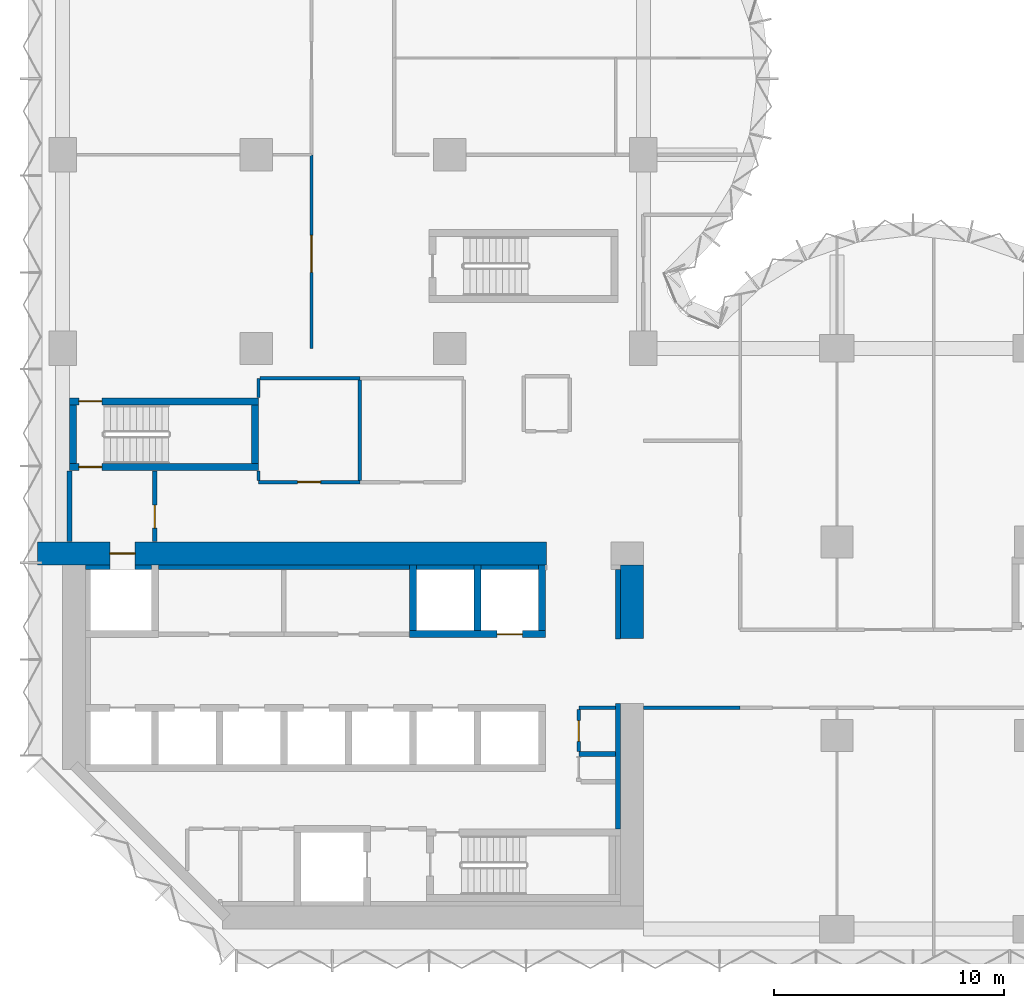
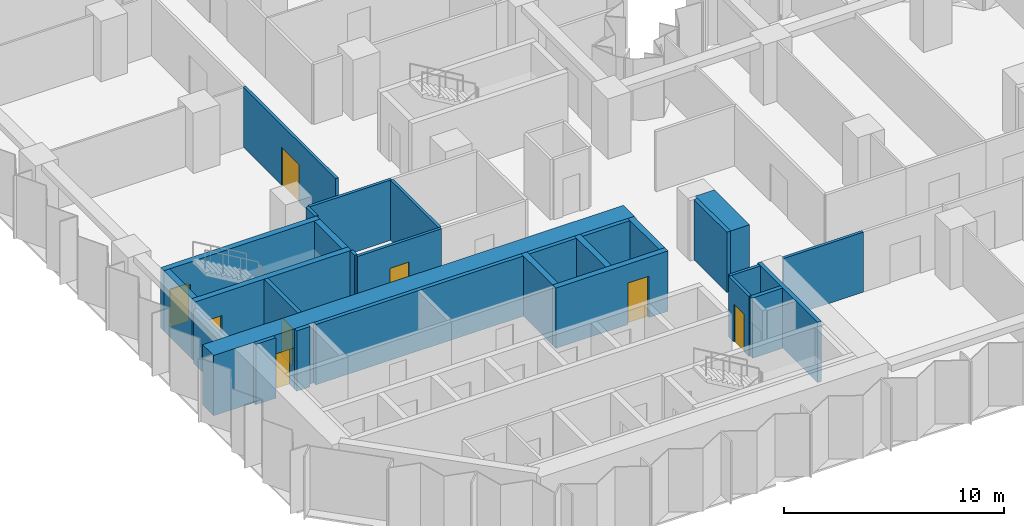
# One storey, part 8 of 15: 29 walls, 8 doors, 8 openings.
"""IFC4 building model written with IfcOpenShell, lengths in metres."""

from ifc_helpers import new_model, si_unit, direction, frame, frame_2d, origin, place, context, subcontext, project, spatial, rectangle, extrude, material, layer, layer_set, type_object, element, fill, save


model = new_model("IFC4")

# Units and contexts
model_context = context("Model", 3, precision=1e-05, world=origin(), true_north=direction((0.0, 1.0)))
body_context = subcontext(model_context, "Body", "Model", "MODEL_VIEW")
ifc_project = project(units=[si_unit("LENGTHUNIT", "METRE"), si_unit("AREAUNIT", "SQUARE_METRE"), si_unit("VOLUMEUNIT", "CUBIC_METRE"), si_unit("PLANEANGLEUNIT", "RADIAN"), si_unit("MASSUNIT", "GRAM", prefix="KILO")], contexts=[model_context])

# Site, building, storey
site_placement = place(None, origin())
site = spatial("IfcSite", under=ifc_project, at=site_placement, CompositionType="ELEMENT")
building_placement = place(site_placement, origin())
building = spatial("IfcBuilding", under=site, at=building_placement, Name="Brevane Broadcast Tower", CompositionType="ELEMENT")
storey_placement = place(building_placement, frame((0.0, 0.0, 68.89990234375)))
storey = spatial("IfcBuildingStorey", under=building, at=storey_placement, Name="L15", CompositionType="ELEMENT", Elevation=68.89990234375)

# Walls
ifc_material_1 = material(Name="Concrete C32/40", Category="concrete")
ifc_layer_1 = layer(ifc_material_1, 0.199951171875)
ifc_layer_set_1 = layer_set([ifc_layer_1], Name="Core chase wall 200 mm")
wall_type_1 = type_object("IfcWallType", Name="Core chase wall 200 mm", PredefinedType="PARTITIONING", material=ifc_layer_set_1)
wall_1_placement = place(storey_placement, frame((24.10009765625, 12.60009765625, 0.0), z_axis=(0.0, 0.0, 1.0), x_axis=(0.0, 1.0, 0.0)))
element("IfcWall", 1, at=wall_1_placement, inside=storey, type_object=wall_type_1, Name="L15 chase wall LE2", PredefinedType="PARTITIONING", context=body_context, shape_type="SweptSolid", body=[
    extrude(rectangle(XDim=3.0, YDim=0.199951171875, at=frame_2d((1.5, 0.0))), origin(), (0.0, 0.0, 1.0), 3.35009765625),
])
wall_2_placement = place(storey_placement, frame((1.0, 15.699951171875, 0.0), z_axis=(0.0, 0.0, 1.0), x_axis=(1.0, 0.0, 0.0)))
element("IfcWall", 2, at=wall_2_placement, inside=storey, type_object=wall_type_1, Name="L15 chase wall LN0", PredefinedType="PARTITIONING", context=body_context, shape_type="SweptSolid", body=[
    extrude(rectangle(XDim=1.050048828125, YDim=0.199951171875, at=frame_2d((0.52490234375, 0.0))), origin(), (0.0, 0.0, 1.0), 3.35009765625),
])
wall_3_placement = place(storey_placement, frame((3.14990234375, 15.699951171875, 0.0), z_axis=(0.0, 0.0, 1.0), x_axis=(1.0, 0.0, 0.0)))
element("IfcWall", 3, at=wall_3_placement, inside=storey, type_object=wall_type_1, Name="L15 chase wall LN1-1", PredefinedType="PARTITIONING", context=body_context, shape_type="SweptSolid", body=[
    extrude(rectangle(XDim=0.7001953125, YDim=0.199951171875, at=frame_2d((0.35009765625, 0.0))), origin(), (0.0, 0.0, 1.0), 3.35009765625),
])
wall_4_placement = place(storey_placement, frame((4.14990234375, 15.699951171875, 0.0), z_axis=(0.0, 0.0, 1.0), x_axis=(1.0, 0.0, 0.0)))
element("IfcWall", 4, at=wall_4_placement, inside=storey, type_object=wall_type_1, Name="L15 chase wall LN1-2-1", PredefinedType="PARTITIONING", context=body_context, shape_type="SweptSolid", body=[
    extrude(rectangle(XDim=10.900146484375, YDim=0.199951171875, at=frame_2d((5.4501953125, 0.0))), origin(), (0.0, 0.0, 1.0), 3.35009765625),
])
for number, where, z_axis, x_axis, name in (
    (5, (15.35009765625, 15.699951171875, 0.0), (0.0, 0.0, 1.0), (1.0, 0.0, 0.0), "L15 chase wall LN1-2-2-1"),
    (6, (18.14990234375, 15.699951171875, 0.0), (0.0, 0.0, 1.0), (1.0, 0.0, 0.0), "L15 chase wall LN1-2-2-2-1"),
):
    element("IfcWall", number, at=place(storey_placement, frame(where, z_axis=z_axis, x_axis=x_axis)), inside=storey, type_object=wall_type_1, Name=name, PredefinedType="PARTITIONING", context=body_context, shape_type="SweptSolid", body=[
        extrude(rectangle(XDim=2.5, YDim=0.199951171875, at=frame_2d((1.25, 0.0))), origin(), (0.0, 0.0, 1.0), 3.35009765625),
    ])
wall_5_placement = place(storey_placement, frame((24.10009765625, 4.35009765625, 0.0), z_axis=(0.0, 0.0, 1.0), x_axis=(0.0, 1.0, 0.0)))
element("IfcWall", 7, at=wall_5_placement, inside=storey, type_object=wall_type_1, Name="L15 chase wall LE1-2-2", PredefinedType="PARTITIONING", context=body_context, shape_type="SweptSolid", body=[
    extrude(rectangle(XDim=5.449951171875, YDim=0.199951171875, at=frame_2d((2.72509765625, 0.0))), origin(), (0.0, 0.0, 1.0), 3.35009765625),
])

# Wall, opening, door
ifc_material_2 = material(Name="Gypsum board on steel studs", Category="steel")
ifc_layer_2 = layer(ifc_material_2, 0.14990234375)
ifc_layer_set_2 = layer_set([ifc_layer_2], Name="Core fire partition 150 mm")
wall_type_2 = type_object("IfcWallType", Name="Core fire partition 150 mm", PredefinedType="PARTITIONING", material=ifc_layer_set_2)
wall_6_placement = place(storey_placement, frame((12.89990234375, 19.39990234375, 0.0), z_axis=(0.0, 0.0, 1.0), x_axis=(-1.0, 0.0, 0.0)))
wall_6 = element("IfcWall", 8, at=wall_6_placement, inside=storey, type_object=wall_type_2, Name="L15 partition wall P15", PredefinedType="PARTITIONING", context=body_context, shape_type="SweptSolid", body=[
    extrude(rectangle(XDim=4.39990234375, YDim=0.14990234375, at=frame_2d((2.199951171875, 0.0))), origin(), (0.0, 0.0, 1.0), 3.35009765625),
])
opening_1_placement = place(wall_6_placement, frame((1.699951171875, 0.0, 0.0)))
opening_1 = element("IfcOpeningElement", 9, at=opening_1_placement, cuts=wall_6, Name="Opening L15-K25", PredefinedType="OPENING", context=body_context, shape_type="SweptSolid", body=[
    extrude(rectangle(XDim=1.0, YDim=2.10009765625, at=frame_2d((0.5, 1.050048828125))), frame((0.0, 0.0849609375, 0.0), z_axis=(0.0, -1.0, 0.0), x_axis=(1.0, 0.0, 0.0)), (0.0, 0.0, 1.0), 0.169921875),
])
ifc_material_3 = material(Name="Steel", Category="steel")
door_type_1 = type_object("IfcDoorType", Name="Service room door 1000 x 2100", OperationType="SINGLE_SWING_LEFT", PredefinedType="DOOR", material=ifc_material_3)
door_1_placement = place(opening_1_placement, origin())
door_1 = element("IfcDoor", 10, at=door_1_placement, inside=storey, type_object=door_type_1, Name="Door L15-K25", OperationType="SINGLE_SWING_LEFT", OverallHeight=2.10009765625, OverallWidth=1.0, PredefinedType="DOOR", context=body_context, shape_type="SweptSolid", body=[
    extrude(rectangle(XDim=1.0, YDim=2.10009765625, at=frame_2d((0.5, 1.050048828125))), frame((0.0, 0.02490234375, 0.0), z_axis=(0.0, -1.0, 0.0), x_axis=(1.0, 0.0, 0.0)), (0.0, 0.0, 1.0), 0.050048828125),
])
fill(opening_1, door_1)

# Walls
wall_7_placement = place(storey_placement, frame((8.5, 19.47509765625, 0.0), z_axis=(0.0, 0.0, 1.0), x_axis=(0.0, 1.0, 0.0)))
element("IfcWall", 11, at=wall_7_placement, inside=storey, type_object=wall_type_2, Name="L15 partition wall P16", PredefinedType="PARTITIONING", context=body_context, shape_type="SweptSolid", body=[
    extrude(rectangle(XDim=0.412841796875, YDim=0.14990234375, at=frame_2d((0.20654296875, 0.0))), origin(), (0.0, 0.0, 1.0), 3.35009765625),
])
wall_8_placement = place(storey_placement, frame((8.5, 23.06201171875, 0.0), z_axis=(0.0, 0.0, 1.0), x_axis=(0.0, 1.0, 0.0)))
element("IfcWall", 12, at=wall_8_placement, inside=storey, type_object=wall_type_2, Name="L15 partition wall P17", PredefinedType="PARTITIONING", context=body_context, shape_type="SweptSolid", body=[
    extrude(rectangle(XDim=0.837890625, YDim=0.14990234375, at=frame_2d((0.4189453125, 0.0))), origin(), (0.0, 0.0, 1.0), 3.35009765625),
])
wall_9_placement = place(storey_placement, frame((8.574951171875, 23.89990234375, 0.0), z_axis=(0.0, 0.0, 1.0), x_axis=(1.0, 0.0, 0.0)))
element("IfcWall", 13, at=wall_9_placement, inside=storey, type_object=wall_type_2, Name="L15 partition wall P18", PredefinedType="PARTITIONING", context=body_context, shape_type="SweptSolid", body=[
    extrude(rectangle(XDim=4.324951171875, YDim=0.14990234375, at=frame_2d((2.16259765625, 0.0))), origin(), (0.0, 0.0, 1.0), 3.35009765625),
])
wall_10_placement = place(storey_placement, frame((12.89990234375, 23.824951171875, 0.0), z_axis=(0.0, 0.0, 1.0), x_axis=(0.0, -1.0, 0.0)))
element("IfcWall", 14, at=wall_10_placement, inside=storey, type_object=wall_type_2, Name="L15 partition wall P22", PredefinedType="PARTITIONING", context=body_context, shape_type="SweptSolid", body=[
    extrude(rectangle(XDim=4.349853515625, YDim=0.14990234375, at=frame_2d((2.1748046875, 0.0))), origin(), (0.0, 0.0, 1.0), 3.35009765625),
])
wall_11_placement = place(storey_placement, frame((23.988037109375, 9.60009765625, 0.0), z_axis=(0.0, 0.0, 1.0), x_axis=(-1.0, 0.0, 0.0)))
element("IfcWall", 15, at=wall_11_placement, inside=storey, type_object=wall_type_2, Name="L15 partition wall P23", PredefinedType="PARTITIONING", context=body_context, shape_type="SweptSolid", body=[
    extrude(rectangle(XDim=1.588134765625, YDim=0.14990234375, at=frame_2d((0.7939453125, 0.0))), origin(), (0.0, 0.0, 1.0), 3.35009765625),
])

# Wall, opening, door
wall_12_placement = place(storey_placement, frame((22.39990234375, 9.52490234375, 0.0), z_axis=(0.0, 0.0, 1.0), x_axis=(0.0, -1.0, 0.0)))
wall_12 = element("IfcWall", 16, at=wall_12_placement, inside=storey, type_object=wall_type_2, Name="L15 partition wall P24", PredefinedType="PARTITIONING", context=body_context, shape_type="SweptSolid", body=[
    extrude(rectangle(XDim=1.824951171875, YDim=0.14990234375, at=frame_2d((0.91259765625, 0.0))), origin(), (0.0, 0.0, 1.0), 3.35009765625),
])
opening_2_placement = place(wall_12_placement, frame((0.47509765625, 0.0, 0.0)))
opening_2 = element("IfcOpeningElement", 17, at=opening_2_placement, cuts=wall_12, Name="Opening L15-K20", PredefinedType="OPENING", context=body_context, shape_type="SweptSolid", body=[
    extrude(rectangle(XDim=0.89990234375, YDim=2.10009765625, at=frame_2d((0.449951171875, 1.050048828125))), frame((0.0, 0.0849609375, 0.0), z_axis=(0.0, -1.0, 0.0), x_axis=(1.0, 0.0, 0.0)), (0.0, 0.0, 1.0), 0.169921875),
])
door_type_2 = type_object("IfcDoorType", Name="Service room door 900 x 2100", OperationType="SINGLE_SWING_LEFT", PredefinedType="DOOR", material=ifc_material_3)
door_2_placement = place(opening_2_placement, origin())
door_2 = element("IfcDoor", 18, at=door_2_placement, inside=storey, type_object=door_type_2, Name="Door L15-K20", OperationType="SINGLE_SWING_RIGHT", OverallHeight=2.10009765625, OverallWidth=0.89990234375, PredefinedType="DOOR", context=body_context, shape_type="SweptSolid", body=[
    extrude(rectangle(XDim=0.89990234375, YDim=2.10009765625, at=frame_2d((0.449951171875, 1.050048828125))), frame((0.0, 0.02490234375, 0.0), z_axis=(0.0, -1.0, 0.0), x_axis=(1.0, 0.0, 0.0)), (0.0, 0.0, 1.0), 0.050048828125),
])
fill(opening_2, door_2)

# Wall
ifc_layer_3 = layer(ifc_material_2, 0.199951171875)
ifc_layer_set_3 = layer_set([ifc_layer_3], Name="Core fire partition 200 mm")
wall_type_3 = type_object("IfcWallType", Name="Core fire partition 200 mm", PredefinedType="PARTITIONING", material=ifc_layer_set_3)
wall_13_placement = place(storey_placement, frame((0.300048828125, 16.81201171875, 0.0), z_axis=(0.0, 0.0, 1.0), x_axis=(0.0, 1.0, 0.0)))
element("IfcWall", 19, at=wall_13_placement, inside=storey, type_object=wall_type_3, Name="L15 partition wall P01", PredefinedType="PARTITIONING", context=body_context, shape_type="SweptSolid", body=[
    extrude(rectangle(XDim=3.075927734375, YDim=0.199951171875, at=frame_2d((1.5380859375, 0.0))), origin(), (0.0, 0.0, 1.0), 2.97998046875),
])

# Wall, opening, door
wall_14_placement = place(storey_placement, frame((4.0, 19.887939453125, 0.0), z_axis=(0.0, 0.0, 1.0), x_axis=(0.0, -1.0, 0.0)))
wall_14 = element("IfcWall", 20, at=wall_14_placement, inside=storey, type_object=wall_type_3, Name="L15 partition wall P02", PredefinedType="PARTITIONING", context=body_context, shape_type="SweptSolid", body=[
    extrude(rectangle(XDim=3.075927734375, YDim=0.199951171875, at=frame_2d((1.5380859375, 0.0))), origin(), (0.0, 0.0, 1.0), 3.35009765625),
])
opening_3_placement = place(wall_14_placement, frame((1.488037109375, 0.0, 0.0)))
opening_3 = element("IfcOpeningElement", 21, at=opening_3_placement, cuts=wall_14, Name="Opening L15-K23", PredefinedType="OPENING", context=body_context, shape_type="SweptSolid", body=[
    extrude(rectangle(XDim=1.0, YDim=2.10009765625, at=frame_2d((0.5, 1.050048828125))), frame((0.0, 0.10986328125, 0.0), z_axis=(0.0, -1.0, 0.0), x_axis=(1.0, 0.0, 0.0)), (0.0, 0.0, 1.0), 0.219970703125),
])
door_type_3 = type_object("IfcDoorType", Name="Stair door 1000 x 2100", OperationType="SINGLE_SWING_LEFT", PredefinedType="DOOR", material=ifc_material_3)
door_3_placement = place(opening_3_placement, origin())
door_3 = element("IfcDoor", 22, at=door_3_placement, inside=storey, type_object=door_type_3, Name="Door L15-K23", OperationType="SINGLE_SWING_LEFT", OverallHeight=2.10009765625, OverallWidth=1.0, PredefinedType="DOOR", context=body_context, shape_type="SweptSolid", body=[
    extrude(rectangle(XDim=1.0, YDim=2.10009765625, at=frame_2d((0.5, 1.050048828125))), frame((0.0, 0.02490234375, 0.0), z_axis=(0.0, -1.0, 0.0), x_axis=(1.0, 0.0, 0.0)), (0.0, 0.0, 1.0), 0.050048828125),
])
fill(opening_3, door_3)

# Wall
wall_15_placement = place(storey_placement, frame((23.988037109375, 7.60009765625, 0.0), z_axis=(0.0, 0.0, 1.0), x_axis=(-1.0, 0.0, 0.0)))
element("IfcWall", 23, at=wall_15_placement, inside=storey, type_object=wall_type_3, Name="L15 partition wall P07", PredefinedType="PARTITIONING", context=body_context, shape_type="SweptSolid", body=[
    extrude(rectangle(XDim=1.588134765625, YDim=0.199951171875, at=frame_2d((0.7939453125, 0.0))), origin(), (0.0, 0.0, 1.0), 3.35009765625),
])

# Wall, opening, door
ifc_material_4 = material(Name="Concrete C80/95", Category="concrete")
ifc_layer_4 = layer(ifc_material_4, 1.0)
ifc_layer_set_4 = layer_set([ifc_layer_4], Name="Core wall 1000 mm C80/95")
wall_type_4 = type_object("IfcWallType", Name="Core wall 1000 mm C80/95", PredefinedType="SHEAR", material=ifc_layer_set_4)
wall_16_placement = place(storey_placement, frame((-1.10009765625, 16.300048828125, 0.0), z_axis=(0.0, 0.0, 1.0), x_axis=(1.0, 0.0, 0.0)))
wall_16 = element("IfcWall", 24, at=wall_16_placement, inside=storey, type_object=wall_type_4, Name="L15 outer wall WN1", PredefinedType="SHEAR", context=body_context, shape_type="SweptSolid", body=[
    extrude(rectangle(XDim=22.10009765625, YDim=1.0, at=frame_2d((11.050048828125, 0.0))), origin(), (0.0, 0.0, 1.0), 3.35009765625),
])
opening_4_placement = place(wall_16_placement, frame((3.14990234375, 0.0, 0.0)))
opening_4 = element("IfcOpeningElement", 25, at=opening_4_placement, cuts=wall_16, Name="Opening LD", PredefinedType="OPENING", context=body_context, shape_type="SweptSolid", body=[
    extrude(rectangle(XDim=1.10009765625, YDim=2.300048828125, at=frame_2d((0.550048828125, 1.14990234375))), frame((0.0, 0.510009765625, 0.0), z_axis=(0.0, -1.0, 0.0), x_axis=(1.0, 0.0, 0.0)), (0.0, 0.0, 1.0), 1.02001953125),
])
ifc_material_5 = material(Name="Stainless steel", Category="steel")
door_type_4 = type_object("IfcDoorType", Name="Lift landing door", OperationType="SLIDING_TO_LEFT", PredefinedType="DOOR", material=ifc_material_5)
door_4_placement = place(opening_4_placement, origin())
door_4 = element("IfcDoor", 26, at=door_4_placement, inside=storey, type_object=door_type_4, Name="Landing door FF1 L15", OperationType="SLIDING_TO_LEFT", OverallHeight=2.300048828125, OverallWidth=1.10009765625, PredefinedType="DOOR", context=body_context, shape_type="SweptSolid", body=[
    extrude(rectangle(XDim=1.10009765625, YDim=2.300048828125, at=frame_2d((0.550048828125, 1.14990234375))), frame((0.0, 0.02490234375, 0.0), z_axis=(0.0, -1.0, 0.0), x_axis=(1.0, 0.0, 0.0)), (0.0, 0.0, 1.0), 0.050048828125),
])
fill(opening_4, door_4)

# Wall
wall_17_placement = place(storey_placement, frame((24.699951171875, 12.60009765625, 0.0), z_axis=(0.0, 0.0, 1.0), x_axis=(0.0, 1.0, 0.0)))
element("IfcWall", 27, at=wall_17_placement, inside=storey, type_object=wall_type_4, Name="L15 outer wall WE2", PredefinedType="SHEAR", context=body_context, shape_type="SweptSolid", body=[
    extrude(rectangle(XDim=3.199951171875, YDim=1.0, at=frame_2d((1.60009765625, 0.0))), origin(), (0.0, 0.0, 1.0), 3.35009765625),
])

# Wall, opening, door
ifc_layer_5 = layer(ifc_material_4, 0.300048828125)
ifc_layer_set_5 = layer_set([ifc_layer_5], Name="Core wall 300 mm C80/95")
wall_type_5 = type_object("IfcWallType", Name="Core wall 300 mm C80/95", PredefinedType="SHEAR", material=ifc_layer_set_5)
wall_18_placement = place(storey_placement, frame((15.050048828125, 12.800048828125, 0.0), z_axis=(0.0, 0.0, 1.0), x_axis=(1.0, 0.0, 0.0)))
wall_18 = element("IfcWall", 28, at=wall_18_placement, inside=storey, type_object=wall_type_5, Name="L15 shaft wall SH-N152-front", PredefinedType="SHEAR", context=body_context, shape_type="SweptSolid", body=[
    extrude(rectangle(XDim=5.89990234375, YDim=0.300048828125, at=frame_2d((2.949951171875, 0.0))), origin(), (0.0, 0.0, 1.0), 3.35009765625),
])
opening_5_placement = place(wall_18_placement, frame((3.800048828125, 0.0, 0.0)))
opening_5 = element("IfcOpeningElement", 29, at=opening_5_placement, cuts=wall_18, Name="Opening LD", PredefinedType="OPENING", context=body_context, shape_type="SweptSolid", body=[
    extrude(rectangle(XDim=1.10009765625, YDim=2.300048828125, at=frame_2d((0.550048828125, 1.14990234375))), frame((0.0, 0.159912109375, 0.0), z_axis=(0.0, -1.0, 0.0), x_axis=(1.0, 0.0, 0.0)), (0.0, 0.0, 1.0), 0.320068359375),
])
door_5_placement = place(opening_5_placement, origin())
door_5 = element("IfcDoor", 30, at=door_5_placement, inside=storey, type_object=door_type_4, Name="Landing door SL1 L15", OperationType="SLIDING_TO_LEFT", OverallHeight=2.300048828125, OverallWidth=1.10009765625, PredefinedType="DOOR", context=body_context, shape_type="SweptSolid", body=[
    extrude(rectangle(XDim=1.10009765625, YDim=2.300048828125, at=frame_2d((0.550048828125, 1.14990234375))), frame((0.0, 0.02490234375, 0.0), z_axis=(0.0, -1.0, 0.0), x_axis=(1.0, 0.0, 0.0)), (0.0, 0.0, 1.0), 0.050048828125),
])
fill(opening_5, door_5)

# Walls
for number, where, z_axis, x_axis, name in (
    (31, (15.199951171875, 12.949951171875, 0.0), (0.0, 0.0, 1.0), (0.0, 1.0, 0.0), "L15 shaft wall SH-N-P152"),
    (32, (18.0, 12.949951171875, 0.0), (0.0, 0.0, 1.0), (0.0, 1.0, 0.0), "L15 shaft wall SH-N-P180"),
    (33, (20.800048828125, 12.949951171875, 0.0), (0.0, 0.0, 1.0), (0.0, 1.0, 0.0), "L15 shaft wall SH-N-P208"),
):
    element("IfcWall", number, at=place(storey_placement, frame(where, z_axis=z_axis, x_axis=x_axis)), inside=storey, type_object=wall_type_5, Name=name, PredefinedType="SHEAR", context=body_context, shape_type="SweptSolid", body=[
        extrude(rectangle(XDim=2.85009765625, YDim=0.300048828125, at=frame_2d((1.425048828125, 0.0))), origin(), (0.0, 0.0, 1.0), 3.35009765625),
    ])

# Wall, opening, door
wall_19_placement = place(storey_placement, frame((8.5, 20.050048828125, 0.0), z_axis=(0.0, 0.0, 1.0), x_axis=(-1.0, 0.0, 0.0)))
wall_19 = element("IfcWall", 34, at=wall_19_placement, inside=storey, type_object=wall_type_5, Name="L15 stair wall ST-1-S", PredefinedType="SHEAR", context=body_context, shape_type="SweptSolid", body=[
    extrude(rectangle(XDim=8.199951171875, YDim=0.300048828125, at=frame_2d((4.10009765625, 0.0))), origin(), (0.0, 0.0, 1.0), 3.35009765625),
])
opening_6_placement = place(wall_19_placement, frame((6.800048828125, 0.0, 0.0)))
opening_6 = element("IfcOpeningElement", 35, at=opening_6_placement, cuts=wall_19, Name="Opening L15-K10", PredefinedType="OPENING", context=body_context, shape_type="SweptSolid", body=[
    extrude(rectangle(XDim=1.0, YDim=2.10009765625, at=frame_2d((0.5, 1.050048828125))), frame((0.0, 0.159912109375, 0.0), z_axis=(0.0, -1.0, 0.0), x_axis=(1.0, 0.0, 0.0)), (0.0, 0.0, 1.0), 0.320068359375),
])
door_6_placement = place(opening_6_placement, origin())
door_6 = element("IfcDoor", 36, at=door_6_placement, inside=storey, type_object=door_type_3, Name="Door L15-K10", OperationType="SINGLE_SWING_RIGHT", OverallHeight=2.10009765625, OverallWidth=1.0, PredefinedType="DOOR", context=body_context, shape_type="SweptSolid", body=[
    extrude(rectangle(XDim=1.0, YDim=2.10009765625, at=frame_2d((0.5, 1.050048828125))), frame((0.0, 0.02490234375, 0.0), z_axis=(0.0, -1.0, 0.0), x_axis=(1.0, 0.0, 0.0)), (0.0, 0.0, 1.0), 0.050048828125),
])
fill(opening_6, door_6)

wall_20_placement = place(storey_placement, frame((0.300048828125, 22.89990234375, 0.0), z_axis=(0.0, 0.0, 1.0), x_axis=(1.0, 0.0, 0.0)))
wall_20 = element("IfcWall", 37, at=wall_20_placement, inside=storey, type_object=wall_type_5, Name="L15 stair wall ST-1-N", PredefinedType="SHEAR", context=body_context, shape_type="SweptSolid", body=[
    extrude(rectangle(XDim=8.199951171875, YDim=0.300048828125, at=frame_2d((4.10009765625, 0.0))), origin(), (0.0, 0.0, 1.0), 3.35009765625),
])
opening_7_placement = place(wall_20_placement, frame((0.39990234375, 0.0, 0.0)))
opening_7 = element("IfcOpeningElement", 38, at=opening_7_placement, cuts=wall_20, Name="Opening L15-K11", PredefinedType="OPENING", context=body_context, shape_type="SweptSolid", body=[
    extrude(rectangle(XDim=1.0, YDim=2.10009765625, at=frame_2d((0.5, 1.050048828125))), frame((0.0, 0.159912109375, 0.0), z_axis=(0.0, -1.0, 0.0), x_axis=(1.0, 0.0, 0.0)), (0.0, 0.0, 1.0), 0.320068359375),
])
door_7_placement = place(opening_7_placement, origin())
door_7 = element("IfcDoor", 39, at=door_7_placement, inside=storey, type_object=door_type_3, Name="Door L15-K11", OperationType="SINGLE_SWING_LEFT", OverallHeight=2.10009765625, OverallWidth=1.0, PredefinedType="DOOR", context=body_context, shape_type="SweptSolid", body=[
    extrude(rectangle(XDim=1.0, YDim=2.10009765625, at=frame_2d((0.5, 1.050048828125))), frame((0.0, 0.02490234375, 0.0), z_axis=(0.0, -1.0, 0.0), x_axis=(1.0, 0.0, 0.0)), (0.0, 0.0, 1.0), 0.050048828125),
])
fill(opening_7, door_7)

# Walls
for number, where, z_axis, x_axis, name in (
    (40, (0.449951171875, 20.199951171875, 0.0), (0.0, 0.0, 1.0), (0.0, 1.0, 0.0), "L15 stair wall ST-1-W"),
    (41, (8.35009765625, 20.199951171875, 0.0), (0.0, 0.0, 1.0), (0.0, 1.0, 0.0), "L15 stair wall ST-1-E"),
):
    element("IfcWall", number, at=place(storey_placement, frame(where, z_axis=z_axis, x_axis=x_axis)), inside=storey, type_object=wall_type_5, Name=name, PredefinedType="SHEAR", context=body_context, shape_type="SweptSolid", body=[
        extrude(rectangle(XDim=2.550048828125, YDim=0.300048828125, at=frame_2d((1.27490234375, 0.0))), origin(), (0.0, 0.0, 1.0), 3.35009765625),
    ])
ifc_material_6 = material(Name="Gypsum board partition")
ifc_layer_6 = layer(ifc_material_6, 0.14990234375)
ifc_layer_set_6 = layer_set([ifc_layer_6], Name="PARTITION 150 EI 60")
wall_type_6 = type_object("IfcWallType", Name="PARTITION 150 EI 60", PredefinedType="PARTITIONING", material=ifc_layer_set_6)
wall_21_placement = place(storey_placement, frame((29.39990234375, 9.60009765625, 0.0), z_axis=(0.0, 0.0, 1.0), x_axis=(-1.0, 0.0, 0.0)))
element("IfcWall", 42, at=wall_21_placement, inside=storey, type_object=wall_type_6, Name="Partition G04-002", PredefinedType="PARTITIONING", context=body_context, shape_type="SweptSolid", body=[
    extrude(rectangle(XDim=4.199951171875, YDim=0.14990234375, at=frame_2d((2.10009765625, 0.0))), origin(), (0.0, 0.0, 1.0), 3.330078125),
])

# Wall, opening, door
wall_22_placement = place(storey_placement, frame((10.800048828125, 25.199951171875, 0.0), z_axis=(0.0, 0.0, 1.0), x_axis=(0.0, 1.0, 0.0)))
wall_22 = element("IfcWall", 43, at=wall_22_placement, inside=storey, type_object=wall_type_6, Name="Partition G04-037", PredefinedType="PARTITIONING", context=body_context, shape_type="SweptSolid", body=[
    extrude(rectangle(XDim=8.400146484375, YDim=0.14990234375, at=frame_2d((4.2001953125, 0.0))), origin(), (0.0, 0.0, 1.0), 3.330078125),
])
opening_8_placement = place(wall_22_placement, frame((3.300048828125, 0.0, 0.0)))
opening_8 = element("IfcOpeningElement", 44, at=opening_8_placement, cuts=wall_22, Name="Opening D10-015", PredefinedType="OPENING", context=body_context, shape_type="SweptSolid", body=[
    extrude(rectangle(XDim=1.60009765625, YDim=2.10009765625, at=frame_2d((0.800048828125, 1.050048828125))), frame((0.0, 0.0849609375, 0.0), z_axis=(0.0, -1.0, 0.0), x_axis=(1.0, 0.0, 0.0)), (0.0, 0.0, 1.0), 0.169921875),
])
ifc_material_7 = material(Name="Fire-rated timber door leaf", Category="wood")
door_type_5 = type_object("IfcDoorType", Name="DOOR DOUBLE 1600 FD30S", OperationType="DOUBLE_DOOR_SINGLE_SWING", PredefinedType="DOOR", material=ifc_material_7)
door_8_placement = place(opening_8_placement, origin())
door_8 = element("IfcDoor", 45, at=door_8_placement, inside=storey, type_object=door_type_5, Name="Door D10-015", OperationType="DOUBLE_DOOR_SINGLE_SWING", OverallHeight=2.10009765625, OverallWidth=1.60009765625, PredefinedType="DOOR", context=body_context, shape_type="SweptSolid", body=[
    extrude(rectangle(XDim=1.60009765625, YDim=2.10009765625, at=frame_2d((0.800048828125, 1.050048828125))), frame((0.0, 0.02490234375, 0.0), z_axis=(0.0, -1.0, 0.0), x_axis=(1.0, 0.0, 0.0)), (0.0, 0.0, 1.0), 0.050048828125),
])
fill(opening_8, door_8)

save(model, "model.ifc")
